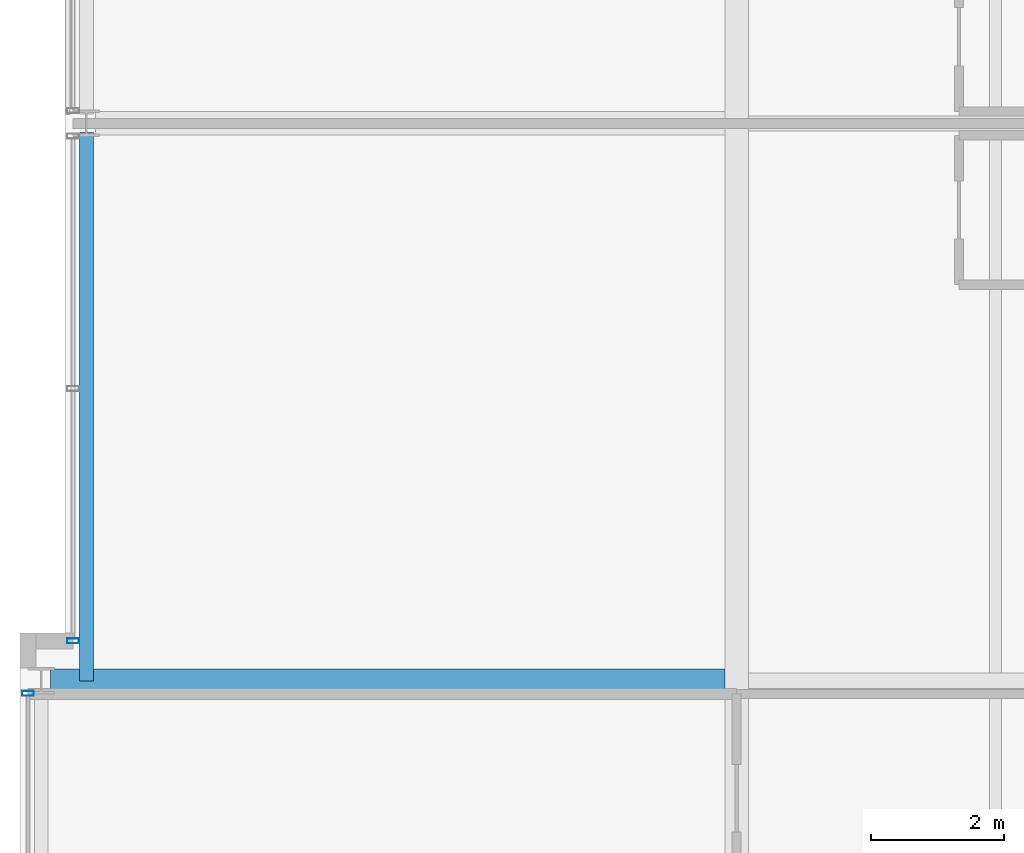
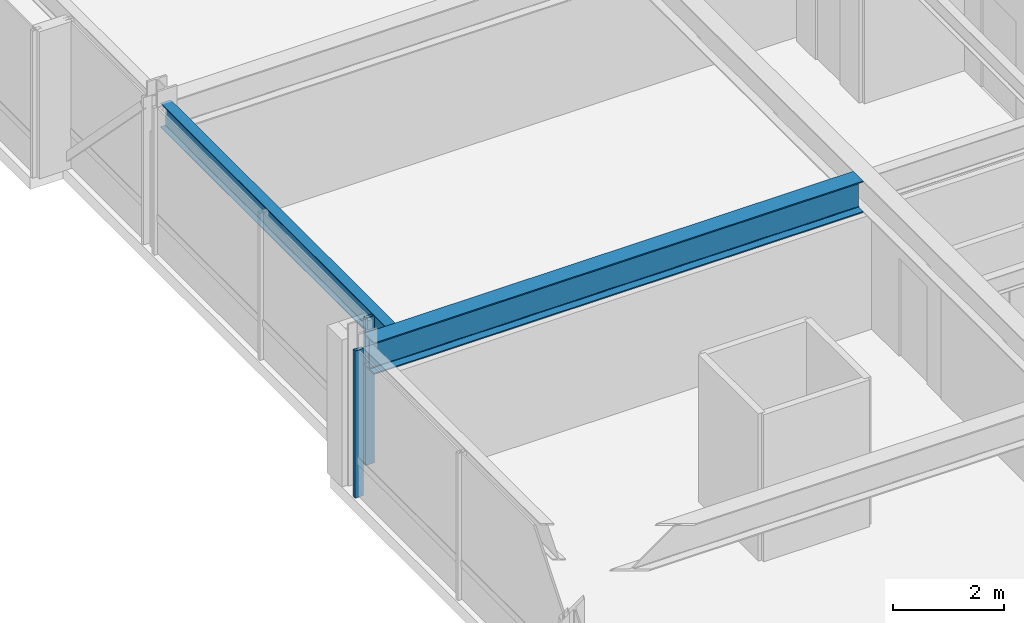
# One storey, part 7 of 33: 2 beams, 2 members, 2 elements without a shape of their own.
"""IFC4 building model written with IfcOpenShell, lengths in metres."""

from ifc_helpers import new_model, si_unit, direction, frame, origin, origin_2d, place, context, subcontext, project, spatial, hollow_rectangle, i_section, extrude, material, layer, layer_set, material_profile, profile_set, type_object, element, aggregate, save


model = new_model("IFC4")

# Units and contexts
model_context = context("Model", 3, precision=1e-05, world=origin(), true_north=direction((0.0, 1.0)))
body_context = subcontext(model_context, "Body", "Model", "MODEL_VIEW")
ifc_project = project(units=[si_unit("LENGTHUNIT", "METRE"), si_unit("AREAUNIT", "SQUARE_METRE"), si_unit("VOLUMEUNIT", "CUBIC_METRE"), si_unit("PLANEANGLEUNIT", "RADIAN"), si_unit("MASSUNIT", "GRAM", prefix="KILO")], contexts=[model_context])

# Site, building, storey
site_placement = place(None, origin())
site = spatial("IfcSite", under=ifc_project, at=site_placement, CompositionType="ELEMENT")
building_placement = place(site_placement, origin())
building = spatial("IfcBuilding", under=site, at=building_placement, Name="Drelvath Grand Hotel", CompositionType="ELEMENT")
storey_placement = place(building_placement, frame((0.0, 0.0, 196.550048828125)))
storey = spatial("IfcBuildingStorey", under=building, at=storey_placement, Name="L51", CompositionType="ELEMENT", Elevation=196.550048828125)

# Curtain wall, member
ifc_material_1 = material(Name="Brushed Pale-Silver Anodised Aluminium Frame", Category="aluminium")
ifc_layer = layer(ifc_material_1, 0.199951171875)
ifc_layer_set = layer_set([ifc_layer], Name="Brushed Pale-Silver Anodised Aluminium Frame")
curtain_wall_type = type_object("IfcCurtainWallType", Name="Stick Curtain Wall CW-04 Brushed Silver Upper-Mid", PredefinedType="NOTDEFINED", material=ifc_layer_set)
curtain_wall_1_placement = place(storey_placement, origin())
curtain_wall_1 = element("IfcCurtainWall", 1, at=curtain_wall_1_placement, inside=storey, type_object=curtain_wall_type, Name="L51 CW-04 Curtain Wall CW04-L51-WS2", PredefinedType="NOTDEFINED")
ifc_material_profile_1 = material_profile(ifc_material_1, hollow_rectangle(XDim=0.074951171875, YDim=0.179931640625, WallThickness=0.0048828125, at=origin_2d()), Name="HSS180X75X5")
ifc_profile_set_1 = profile_set([ifc_material_profile_1], Name="Brushed Pale-Silver Anodised Aluminium Frame")
member_type = type_object("IfcMemberType", Name="Curtain Wall Vertical Mullion CW-04 HSS180X75X5", PredefinedType="MULLION", material=ifc_profile_set_1)
member_1_placement = place(storey_placement, frame((-26.8798828125, 18.408447265625, 0.0), z_axis=(0.0, 0.0, 1.0), x_axis=(0.0, 1.0, 0.0)))
member_1 = element("IfcMember", 2, at=member_1_placement, type_object=member_type, Name="CW04-L51-WS2 Mullion 3", PredefinedType="MULLION", context=body_context, shape_type="SweptSolid", body=[
    extrude(hollow_rectangle(XDim=0.074951171875, YDim=0.179931640625, WallThickness=0.0048828125, at=origin_2d()), origin(), (0.0, 0.0, 1.0), 3.22998046875),
])
aggregate(curtain_wall_1, [member_1])

curtain_wall_2_placement = place(storey_placement, origin())
curtain_wall_2 = element("IfcCurtainWall", 3, at=curtain_wall_2_placement, inside=storey, type_object=curtain_wall_type, Name="L51 CW-04 Curtain Wall CW04-L51-WM1", PredefinedType="NOTDEFINED")
member_2_placement = place(storey_placement, frame((-26.199951171875, 19.199951171875, 0.0), z_axis=(0.0, 0.0, 1.0), x_axis=(0.0, 1.0, 0.0)))
member_2 = element("IfcMember", 4, at=member_2_placement, type_object=member_type, Name="CW04-L51-WM1 Mullion 1", PredefinedType="MULLION", context=body_context, shape_type="SweptSolid", body=[
    extrude(hollow_rectangle(XDim=0.074951171875, YDim=0.179931640625, WallThickness=0.0048828125, at=origin_2d()), origin(), (0.0, 0.0, 1.0), 3.22998046875),
])
aggregate(curtain_wall_2, [member_2])

# Beams
ifc_material_2 = material(Name="Steel ASTM A992 Gr 50", Category="steel")
ifc_material_profile_2 = material_profile(ifc_material_2, i_section(OverallWidth=0.210205078125, OverallDepth=0.53662109375, WebThickness=0.010986328125, FlangeThickness=0.017333984375, FilletRadius=0.01806640625, at=origin_2d()), Name="W21X68")
ifc_profile_set_2 = profile_set([ifc_material_profile_2], Name="Steel ASTM A992 Gr 50")
beam_type_1 = type_object("IfcBeamType", Name="Perimeter Spandrel Beam W21X68", PredefinedType="SPANDREL", material=ifc_profile_set_2)
beam_1_placement = place(storey_placement, frame((-26.0, 18.60009765625, 2.961669921875), z_axis=(0.0, 1.0, 0.0), x_axis=(-1.0, 0.0, 0.0)))
element("IfcBeam", 5, at=beam_1_placement, inside=storey, type_object=beam_type_1, Name="L51 Spandrel West Mid S", PredefinedType="SPANDREL", context=body_context, shape_type="SweptSolid", body=[
    extrude(i_section(OverallWidth=0.210205078125, OverallDepth=0.53662109375, WebThickness=0.010986328125, FlangeThickness=0.017333984375, FilletRadius=0.01806640625, at=origin_2d()), origin(), (0.0, 0.0, 1.0), 8.260009765625),
])
ifc_material_profile_3 = material_profile(ifc_material_2, i_section(OverallWidth=0.354736328125, OverallDepth=0.695556640625, WebThickness=0.015380859375, FlangeThickness=0.025146484375, FilletRadius=0.02392578125, at=origin_2d()), Name="W27X146")
ifc_profile_set_3 = profile_set([ifc_material_profile_3], Name="Steel ASTM A992 Gr 50")
beam_type_2 = type_object("IfcBeamType", Name="Primary Floor Girder W27X146", PredefinedType="BEAM", material=ifc_profile_set_3)
beam_2_placement = place(storey_placement, frame((-26.5400390625, 18.60009765625, 2.88232421875), z_axis=(1.0, 0.0, 0.0), x_axis=(0.0, 1.0, 0.0)))
element("IfcBeam", 6, at=beam_2_placement, inside=storey, type_object=beam_type_2, Name="L51 West Wing Girder D", PredefinedType="BEAM", context=body_context, shape_type="SweptSolid", body=[
    extrude(i_section(OverallWidth=0.354736328125, OverallDepth=0.695556640625, WebThickness=0.015380859375, FlangeThickness=0.025146484375, FilletRadius=0.02392578125, at=origin_2d()), origin(), (0.0, 0.0, 1.0), 10.16259765625),
])

save(model, "model.ifc")
